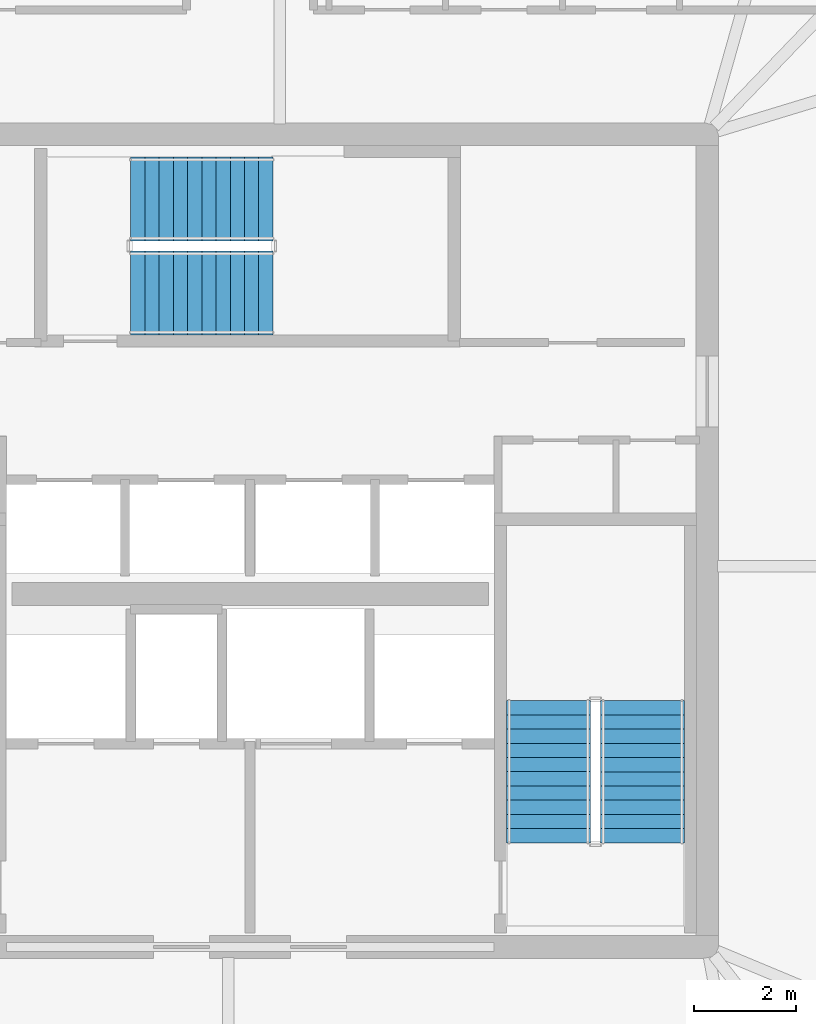
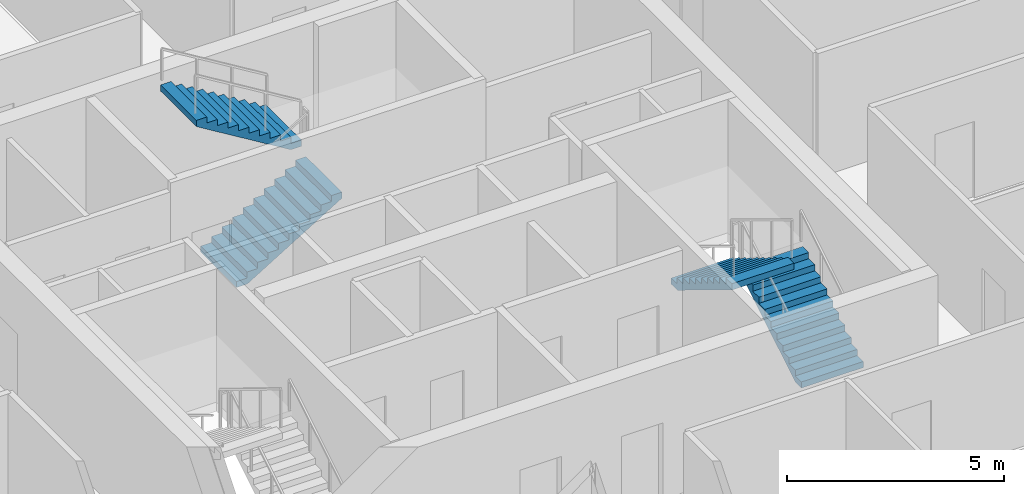
# One storey, part 20 of 23: 4 stair flights, 2 elements without a shape of their own.
"""IFC4 building model written with IfcOpenShell, lengths in metres."""

from ifc_helpers import new_model, si_unit, direction, frame, origin, place, context, subcontext, project, spatial, polyline, outline, extrude, material, type_object, element, aggregate, save


model = new_model("IFC4")

# Units and contexts
model_context = context("Model", 3, precision=1e-05, world=origin(), true_north=direction((0.0, 1.0)))
body_context = subcontext(model_context, "Body", "Model", "MODEL_VIEW")
ifc_project = project(units=[si_unit("LENGTHUNIT", "METRE"), si_unit("AREAUNIT", "SQUARE_METRE"), si_unit("VOLUMEUNIT", "CUBIC_METRE"), si_unit("PLANEANGLEUNIT", "RADIAN"), si_unit("MASSUNIT", "GRAM", prefix="KILO")], contexts=[model_context])

# Site, building, storey
site_placement = place(None, origin())
site = spatial("IfcSite", under=ifc_project, at=site_placement, CompositionType="ELEMENT")
building_placement = place(site_placement, origin())
building = spatial("IfcBuilding", under=site, at=building_placement, Name="Haldenkirk Collegiate Tower", CompositionType="ELEMENT")
storey_placement = place(building_placement, frame((0.0, 0.0, 340.199951171875)))
storey = spatial("IfcBuildingStorey", under=building, at=storey_placement, Name="L86", CompositionType="ELEMENT", Elevation=340.199951171875)

# Stair, stair flights
ifc_material = material(Name="Concrete f'c 40 MPa", Category="concrete")
stair_type = type_object("IfcStairType", Name="STR-DOGLEG-1650", PredefinedType="HALF_TURN_STAIR", material=ifc_material)
stair_1_placement = place(storey_placement, origin())
stair_1 = element("IfcStair", 1, at=stair_1_placement, inside=storey, type_object=stair_type, Name="L86 Core Exit Stair ST-2", PredefinedType="HALF_TURN_STAIR")
stair_flight_type = type_object("IfcStairFlightType", Name="STF-FLIGHT-1650", PredefinedType="STRAIGHT", material=ifc_material)
stair_flight_1_placement = place(storey_placement, frame((43.72509765625, 20.050048828125, 0.0), z_axis=(0.0, 0.0, 1.0), x_axis=(0.0, 1.0, 0.0)))
stair_flight_1 = element("IfcStairFlight", 2, at=stair_flight_1_placement, type_object=stair_flight_type, Name="ST-2 flight 1", NumberOfRisers=11, NumberOfTreads=10, PredefinedType="STRAIGHT", RiserHeight=0.170454545, TreadLength=0.28, context=body_context, shape_type="SweptSolid", body=[
    extrude(outline(polyline([(0.0, 0.0), (0.0, 0.17041015625), (0.280029296875, 0.17041015625), (0.280029296875, 0.3408203125), (0.56005859375, 0.3408203125), (0.56005859375, 0.511474609375), (0.840087890625, 0.511474609375), (0.840087890625, 0.681884765625), (1.1201171875, 0.681884765625), (1.1201171875, 0.852294921875), (1.39990234375, 0.852294921875), (1.39990234375, 1.022705078125), (1.679931640625, 1.022705078125), (1.679931640625, 1.193115234375), (1.9599609375, 1.193115234375), (1.9599609375, 1.363525390625), (2.239990234375, 1.363525390625), (2.239990234375, 1.5341796875), (2.52001953125, 1.5341796875), (2.52001953125, 1.70458984375), (2.800048828125, 1.70458984375), (2.800048828125, 1.875), (2.800048828125, 1.529052734375), (0.288330078125, 0.0), (0.0, 0.0)])), frame((0.0, 0.824951171875, 0.0), z_axis=(0.0, -1.0, 0.0), x_axis=(1.0, 0.0, 0.0)), (0.0, 0.0, 1.0), 1.64990234375),
])
stair_flight_2_placement = place(storey_placement, frame((41.875, 22.85009765625, 1.875), z_axis=(0.0, 0.0, 1.0), x_axis=(0.0, -1.0, 0.0)))
stair_flight_2 = element("IfcStairFlight", 3, at=stair_flight_2_placement, type_object=stair_flight_type, Name="ST-2 flight 2", NumberOfRisers=11, NumberOfTreads=10, PredefinedType="STRAIGHT", RiserHeight=0.170454545, TreadLength=0.28, context=body_context, shape_type="SweptSolid", body=[
    extrude(outline(polyline([(0.0, 0.0), (0.0, 0.17041015625), (0.280029296875, 0.17041015625), (0.280029296875, 0.3408203125), (0.56005859375, 0.3408203125), (0.56005859375, 0.511474609375), (0.840087890625, 0.511474609375), (0.840087890625, 0.681884765625), (1.1201171875, 0.681884765625), (1.1201171875, 0.852294921875), (1.39990234375, 0.852294921875), (1.39990234375, 1.022705078125), (1.679931640625, 1.022705078125), (1.679931640625, 1.193115234375), (1.9599609375, 1.193115234375), (1.9599609375, 1.363525390625), (2.239990234375, 1.363525390625), (2.239990234375, 1.5341796875), (2.52001953125, 1.5341796875), (2.52001953125, 1.70458984375), (2.800048828125, 1.70458984375), (2.800048828125, 1.875), (2.800048828125, 1.529052734375), (0.288330078125, 0.0), (0.0, 0.0)])), frame((0.0, 0.824951171875, 0.0), z_axis=(0.0, -1.0, 0.0), x_axis=(1.0, 0.0, 0.0)), (0.0, 0.0, 1.0), 1.64990234375),
])
aggregate(stair_1, [stair_flight_1, stair_flight_2])

stair_2_placement = place(storey_placement, origin())
stair_2 = element("IfcStair", 4, at=stair_2_placement, inside=storey, type_object=stair_type, Name="L86 Core Exit Stair ST-3", PredefinedType="HALF_TURN_STAIR")
stair_flight_3_placement = place(storey_placement, frame((33.64990234375, 30.875, 0.0), z_axis=(0.0, 0.0, 1.0), x_axis=(1.0, 0.0, 0.0)))
stair_flight_3 = element("IfcStairFlight", 5, at=stair_flight_3_placement, type_object=stair_flight_type, Name="ST-3 flight 1", NumberOfRisers=11, NumberOfTreads=10, PredefinedType="STRAIGHT", RiserHeight=0.170454545, TreadLength=0.28, context=body_context, shape_type="SweptSolid", body=[
    extrude(outline(polyline([(0.0, 0.0), (0.0, 0.17041015625), (0.280029296875, 0.17041015625), (0.280029296875, 0.3408203125), (0.56005859375, 0.3408203125), (0.56005859375, 0.511474609375), (0.840087890625, 0.511474609375), (0.840087890625, 0.681884765625), (1.1201171875, 0.681884765625), (1.1201171875, 0.852294921875), (1.39990234375, 0.852294921875), (1.39990234375, 1.022705078125), (1.679931640625, 1.022705078125), (1.679931640625, 1.193115234375), (1.9599609375, 1.193115234375), (1.9599609375, 1.363525390625), (2.239990234375, 1.363525390625), (2.239990234375, 1.5341796875), (2.52001953125, 1.5341796875), (2.52001953125, 1.70458984375), (2.800048828125, 1.70458984375), (2.800048828125, 1.875), (2.800048828125, 1.529052734375), (0.288330078125, 0.0), (0.0, 0.0)])), frame((0.0, 0.824951171875, 0.0), z_axis=(0.0, -1.0, 0.0), x_axis=(1.0, 0.0, 0.0)), (0.0, 0.0, 1.0), 1.64990234375),
])
stair_flight_4_placement = place(storey_placement, frame((36.449951171875, 32.72509765625, 1.875), z_axis=(0.0, 0.0, 1.0), x_axis=(-1.0, 0.0, 0.0)))
stair_flight_4 = element("IfcStairFlight", 6, at=stair_flight_4_placement, type_object=stair_flight_type, Name="ST-3 flight 2", NumberOfRisers=11, NumberOfTreads=10, PredefinedType="STRAIGHT", RiserHeight=0.170454545, TreadLength=0.28, context=body_context, shape_type="SweptSolid", body=[
    extrude(outline(polyline([(0.0, 0.0), (0.0, 0.17041015625), (0.280029296875, 0.17041015625), (0.280029296875, 0.3408203125), (0.56005859375, 0.3408203125), (0.56005859375, 0.511474609375), (0.840087890625, 0.511474609375), (0.840087890625, 0.681884765625), (1.1201171875, 0.681884765625), (1.1201171875, 0.852294921875), (1.39990234375, 0.852294921875), (1.39990234375, 1.022705078125), (1.679931640625, 1.022705078125), (1.679931640625, 1.193115234375), (1.9599609375, 1.193115234375), (1.9599609375, 1.363525390625), (2.239990234375, 1.363525390625), (2.239990234375, 1.5341796875), (2.52001953125, 1.5341796875), (2.52001953125, 1.70458984375), (2.800048828125, 1.70458984375), (2.800048828125, 1.875), (2.800048828125, 1.529052734375), (0.288330078125, 0.0), (0.0, 0.0)])), frame((0.0, 0.824951171875, 0.0), z_axis=(0.0, -1.0, 0.0), x_axis=(1.0, 0.0, 0.0)), (0.0, 0.0, 1.0), 1.64990234375),
])
aggregate(stair_2, [stair_flight_3, stair_flight_4])

save(model, "model.ifc")
